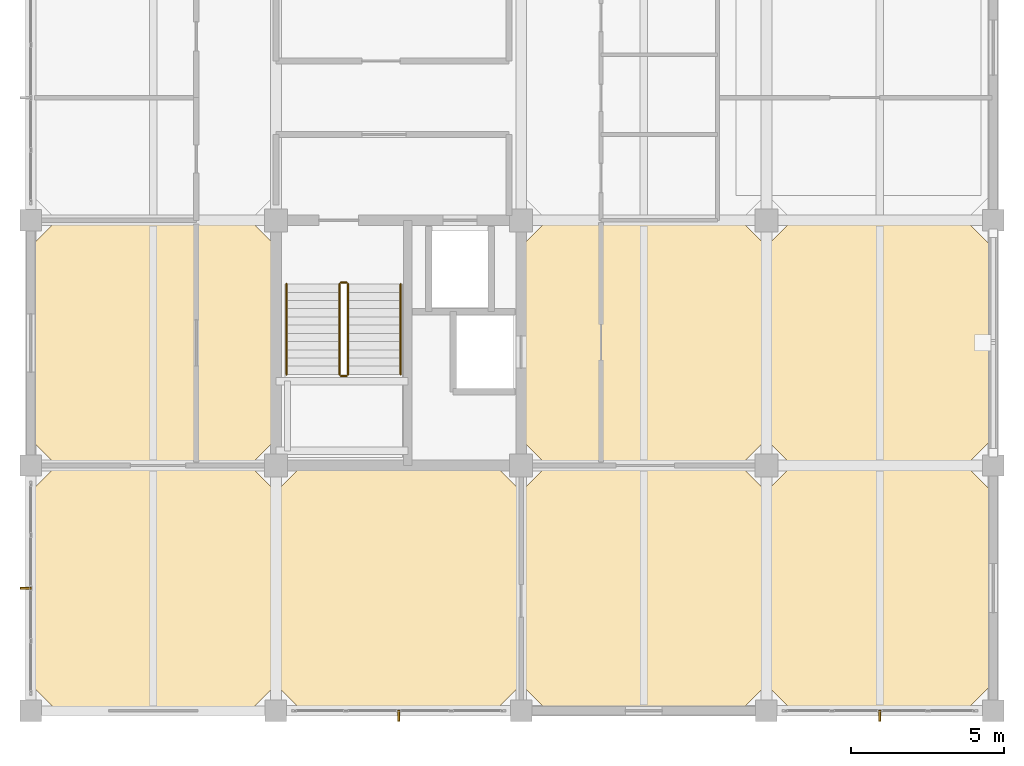
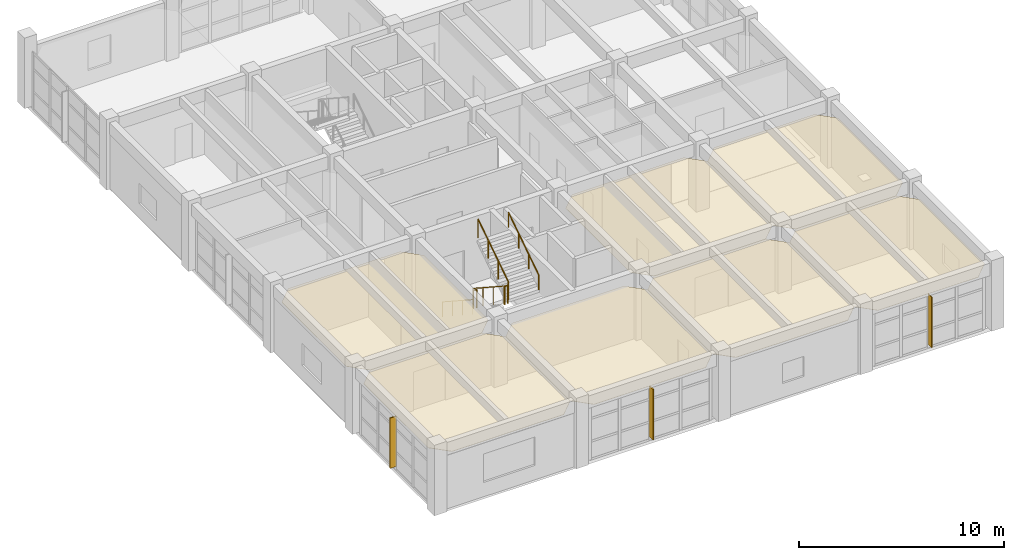
# One storey, part 17 of 19: 7 coverings, 6 railings, 3 shading devices.
"""IFC4 building model written with IfcOpenShell, lengths in metres."""

from ifc_helpers import new_model, si_unit, direction, frame, origin, origin_2d, place, context, subcontext, project, spatial, polyline, rectangle, circle, outline, extrude, material, layer, layer_set, type_object, element, save


model = new_model("IFC4")

# Units and contexts
model_context = context("Model", 3, precision=1e-05, world=origin(), true_north=direction((0.0, 1.0)))
body_context = subcontext(model_context, "Body", "Model", "MODEL_VIEW")
ifc_project = project(units=[si_unit("LENGTHUNIT", "METRE"), si_unit("AREAUNIT", "SQUARE_METRE"), si_unit("VOLUMEUNIT", "CUBIC_METRE"), si_unit("PLANEANGLEUNIT", "RADIAN"), si_unit("MASSUNIT", "GRAM", prefix="KILO")], contexts=[model_context])

# Site, building, storey
site_placement = place(None, origin())
site = spatial("IfcSite", under=ifc_project, at=site_placement, CompositionType="ELEMENT")
building_placement = place(site_placement, origin())
building = spatial("IfcBuilding", under=site, at=building_placement, Name="Canggui Botanical Conservatory", CompositionType="ELEMENT")
storey_placement = place(building_placement, frame((0.0, 0.0, 44.39990234375)))
storey = spatial("IfcBuildingStorey", under=building, at=storey_placement, Name="L11", CompositionType="ELEMENT", Elevation=44.39990234375)

# Coverings
ifc_material_1 = material(Name="Mineral Fibre Acoustic Board")
ifc_layer_1 = layer(ifc_material_1, 0.014892578125, Name="Mineral Fibre Acoustic Board")
ifc_layer_set_1 = layer_set([ifc_layer_1], Name="Mineral Fibre Acoustic Board")
covering_type_1 = type_object("IfcCoveringType", Name="COV-CEIL-15", PredefinedType="CEILING", material=ifc_layer_set_1)
covering_1_placement = place(storey_placement, frame((0.0, 0.0, 3.195068359375)))
element("IfcCovering", 1, at=covering_1_placement, inside=storey, type_object=covering_type_1, Name="Suspended Acoustic Ceiling L11-146-42", PredefinedType="CEILING", context=body_context, shape_type="SweptSolid", body=[
    extrude(outline(polyline([(146.85009765625, 42.0), (153.14990234375, 42.0), (154.0, 42.85009765625), (154.0, 49.14990234375), (153.14990234375, 50.0), (146.85009765625, 50.0), (146.0, 49.14990234375), (146.0, 42.85009765625), (146.85009765625, 42.0)])), origin(), (0.0, 0.0, 1.0), 0.01513671875),
])
covering_2_placement = place(storey_placement, frame((0.0, 0.0, 3.195068359375)))
element("IfcCovering", 2, at=covering_2_placement, inside=storey, type_object=covering_type_1, Name="Suspended Acoustic Ceiling L11-154-34", PredefinedType="CEILING", context=body_context, shape_type="SweptSolid", body=[
    extrude(outline(polyline([(154.85009765625, 34.0), (161.14990234375, 34.0), (162.0, 34.85009765625), (162.0, 41.14990234375), (161.14990234375, 42.0), (154.85009765625, 42.0), (154.0, 41.14990234375), (154.0, 34.85009765625), (154.85009765625, 34.0)])), origin(), (0.0, 0.0, 1.0), 0.01513671875),
])
covering_3_placement = place(storey_placement, frame((0.0, 0.0, 3.195068359375)))
element("IfcCovering", 3, at=covering_3_placement, inside=storey, type_object=covering_type_1, Name="Suspended Acoustic Ceiling L11-162-42", PredefinedType="CEILING", context=body_context, shape_type="SweptSolid", body=[
    extrude(outline(polyline([(162.85009765625, 42.0), (169.14990234375, 42.0), (170.0, 42.85009765625), (170.0, 49.14990234375), (169.14990234375, 50.0), (162.85009765625, 50.0), (162.0, 49.14990234375), (162.0, 42.85009765625), (162.85009765625, 42.0)])), origin(), (0.0, 0.0, 1.0), 0.01513671875),
])
covering_4_placement = place(storey_placement, frame((0.0, 0.0, 3.195068359375)))
element("IfcCovering", 4, at=covering_4_placement, inside=storey, type_object=covering_type_1, Name="Suspended Acoustic Ceiling L11-170-34", PredefinedType="CEILING", context=body_context, shape_type="SweptSolid", body=[
    extrude(outline(polyline([(170.85009765625, 34.0), (176.5, 34.0), (177.35009765625, 34.85009765625), (177.35009765625, 41.14990234375), (176.5, 42.0), (170.85009765625, 42.0), (170.0, 41.14990234375), (170.0, 34.85009765625), (170.85009765625, 34.0)])), origin(), (0.0, 0.0, 1.0), 0.01513671875),
])
ifc_material_2 = material(Name="Perforated Gypsum Acoustic Panel")
ifc_layer_2 = layer(ifc_material_2, 0.02001953125, Name="Perforated Gypsum Acoustic Panel")
ifc_layer_set_2 = layer_set([ifc_layer_2], Name="Perforated Gypsum Acoustic Panel")
covering_type_2 = type_object("IfcCoveringType", Name="COV-CEIL-20", PredefinedType="CEILING", material=ifc_layer_set_2)
covering_5_placement = place(storey_placement, frame((0.0, 0.0, 3.190185546875)))
element("IfcCovering", 5, at=covering_5_placement, inside=storey, type_object=covering_type_2, Name="Suspended Acoustic Ceiling L11-146-34", PredefinedType="CEILING", context=body_context, shape_type="SweptSolid", body=[
    extrude(outline(polyline([(146.85009765625, 34.0), (153.14990234375, 34.0), (154.0, 34.85009765625), (154.0, 41.14990234375), (153.14990234375, 42.0), (146.85009765625, 42.0), (146.0, 41.14990234375), (146.0, 34.85009765625), (146.85009765625, 34.0)])), origin(), (0.0, 0.0, 1.0), 0.02001953125),
])
covering_6_placement = place(storey_placement, frame((0.0, 0.0, 3.190185546875)))
element("IfcCovering", 6, at=covering_6_placement, inside=storey, type_object=covering_type_2, Name="Suspended Acoustic Ceiling L11-162-34", PredefinedType="CEILING", context=body_context, shape_type="SweptSolid", body=[
    extrude(outline(polyline([(162.85009765625, 34.0), (169.14990234375, 34.0), (170.0, 34.85009765625), (170.0, 41.14990234375), (169.14990234375, 42.0), (162.85009765625, 42.0), (162.0, 41.14990234375), (162.0, 34.85009765625), (162.85009765625, 34.0)])), origin(), (0.0, 0.0, 1.0), 0.02001953125),
])
covering_7_placement = place(storey_placement, frame((0.0, 0.0, 3.190185546875)))
element("IfcCovering", 7, at=covering_7_placement, inside=storey, type_object=covering_type_2, Name="Suspended Acoustic Ceiling L11-170-42", PredefinedType="CEILING", context=body_context, shape_type="SweptSolid", body=[
    extrude(outline(polyline([(170.85009765625, 42.0), (176.5, 42.0), (177.35009765625, 42.85009765625), (177.35009765625, 49.14990234375), (176.5, 50.0), (170.85009765625, 50.0), (170.0, 49.14990234375), (170.0, 42.85009765625), (170.85009765625, 42.0)])), origin(), (0.0, 0.0, 1.0), 0.02001953125),
])

# Railings
ifc_material_3 = material(Name="Stainless Steel 304", Category="steel")
railing_type_1 = type_object("IfcRailingType", Name="RAIL-GUARD-1100", PredefinedType="BALUSTRADE", material=ifc_material_3)
railing_1_placement = place(storey_placement, frame((156.070068359375, 47.919921875, 0.175048828125)))
element("IfcRailing", 8, at=railing_1_placement, inside=storey, type_object=railing_type_1, Name="L11 ST-T1 stair guard 1", PredefinedType="BALUSTRADE", context=body_context, shape_type="SweptSolid", body=[
    extrude(circle(Radius=0.02392578125, at=origin_2d()), frame((0.0, 0.0, 1.076171875), z_axis=(0.0, -0.837293178872, 0.54675417933), x_axis=(1.0, 0.0, 0.0)), (0.0, 0.0, 1.0), 3.520751953125),
    extrude(circle(Radius=0.02099609375, at=origin_2d()), origin(), (0.0, 0.0, 1.0), 1.052001953125),
    extrude(circle(Radius=0.02099609375, at=origin_2d()), frame((0.0, -0.982666015625, 0.6416015625)), (0.0, 0.0, 1.0), 1.052001953125),
    extrude(circle(Radius=0.02099609375, at=origin_2d()), frame((0.0, -1.96533203125, 1.283447265625)), (0.0, 0.0, 1.0), 1.052001953125),
    extrude(circle(Radius=0.02099609375, at=origin_2d()), frame((0.0, -2.947998046875, 1.925048828125)), (0.0, 0.0, 1.0), 1.052001953125),
])
railing_2_placement = place(storey_placement, frame((156.1201171875, 44.922119140625, 2.10009765625)))
element("IfcRailing", 9, at=railing_2_placement, inside=storey, type_object=railing_type_1, Name="L11 ST-T1 stair guard 2", PredefinedType="BALUSTRADE", context=body_context, shape_type="SweptSolid", body=[
    extrude(circle(Radius=0.02392578125, at=origin_2d()), frame((0.0, 0.0, 1.076171875), z_axis=(1.0, 0.0, 0.0), x_axis=(0.0, 1.0, 0.0)), (0.0, 0.0, 1.0), 0.179931640625),
    extrude(circle(Radius=0.02099609375, at=origin_2d()), origin(), (0.0, 0.0, 1.0), 1.052001953125),
    extrude(circle(Radius=0.02099609375, at=origin_2d()), frame((0.179931640625, 0.0, 0.0)), (0.0, 0.0, 1.0), 1.052001953125),
])
railing_3_placement = place(storey_placement, frame((156.35009765625, 44.971923828125, 2.275146484375)))
element("IfcRailing", 10, at=railing_3_placement, inside=storey, type_object=railing_type_1, Name="L11 ST-T1 stair guard 3", PredefinedType="BALUSTRADE", context=body_context, shape_type="SweptSolid", body=[
    extrude(circle(Radius=0.02392578125, at=origin_2d()), frame((0.0, 0.0, 1.076171875), z_axis=(0.0, 0.837293178872, 0.54675417933), x_axis=(-1.0, 0.0, 0.0)), (0.0, 0.0, 1.0), 3.520751953125),
    extrude(circle(Radius=0.02099609375, at=origin_2d()), origin(), (0.0, 0.0, 1.0), 1.052001953125),
    extrude(circle(Radius=0.02099609375, at=origin_2d()), frame((0.0, 0.982666015625, 0.6416015625)), (0.0, 0.0, 1.0), 1.052001953125),
    extrude(circle(Radius=0.02099609375, at=origin_2d()), frame((0.0, 1.96533203125, 1.283447265625)), (0.0, 0.0, 1.0), 1.052001953125),
    extrude(circle(Radius=0.02099609375, at=origin_2d()), frame((0.0, 2.947998046875, 1.925048828125)), (0.0, 0.0, 1.0), 1.052001953125),
])
railing_4_placement = place(storey_placement, frame((156.1201171875, 47.969970703125, 0.0)))
element("IfcRailing", 11, at=railing_4_placement, inside=storey, type_object=railing_type_1, Name="L11 ST-T1 stair guard 4", PredefinedType="BALUSTRADE", context=body_context, shape_type="SweptSolid", body=[
    extrude(circle(Radius=0.02392578125, at=origin_2d()), frame((0.0, 0.0, 1.076171875), z_axis=(1.0, 0.0, 0.0), x_axis=(0.0, 1.0, 0.0)), (0.0, 0.0, 1.0), 0.179931640625),
    extrude(circle(Radius=0.02099609375, at=origin_2d()), origin(), (0.0, 0.0, 1.0), 1.052001953125),
    extrude(circle(Radius=0.02099609375, at=origin_2d()), frame((0.179931640625, 0.0, 0.0)), (0.0, 0.0, 1.0), 1.052001953125),
])
railing_type_2 = type_object("IfcRailingType", Name="RAIL-HAND-900", PredefinedType="HANDRAIL", material=ifc_material_3)
railing_5_placement = place(storey_placement, frame((154.35009765625, 47.919921875, 0.175048828125)))
element("IfcRailing", 12, at=railing_5_placement, inside=storey, type_object=railing_type_2, Name="L11 ST-T1 stair handrail 1", PredefinedType="HANDRAIL", context=body_context, shape_type="SweptSolid", body=[
    extrude(circle(Radius=0.02392578125, at=origin_2d()), frame((0.0, 0.0, 0.8759765625), z_axis=(0.0, -0.837293178872, 0.54675417933), x_axis=(1.0, 0.0, 0.0)), (0.0, 0.0, 1.0), 3.520751953125),
    extrude(circle(Radius=0.02099609375, at=origin_2d()), origin(), (0.0, 0.0, 1.0), 0.851806640625),
    extrude(circle(Radius=0.02099609375, at=origin_2d()), frame((0.0, -0.982666015625, 0.6416015625)), (0.0, 0.0, 1.0), 0.851806640625),
    extrude(circle(Radius=0.02099609375, at=origin_2d()), frame((0.0, -1.96533203125, 1.283447265625)), (0.0, 0.0, 1.0), 0.851806640625),
    extrude(circle(Radius=0.02099609375, at=origin_2d()), frame((0.0, -2.947998046875, 1.925048828125)), (0.0, 0.0, 1.0), 0.851806640625),
])
railing_6_placement = place(storey_placement, frame((158.070068359375, 44.971923828125, 2.275146484375)))
element("IfcRailing", 13, at=railing_6_placement, inside=storey, type_object=railing_type_2, Name="L11 ST-T1 stair handrail 2", PredefinedType="HANDRAIL", context=body_context, shape_type="SweptSolid", body=[
    extrude(circle(Radius=0.02392578125, at=origin_2d()), frame((0.0, 0.0, 0.8759765625), z_axis=(0.0, 0.837293178872, 0.54675417933), x_axis=(-1.0, 0.0, 0.0)), (0.0, 0.0, 1.0), 3.520751953125),
    extrude(circle(Radius=0.02099609375, at=origin_2d()), origin(), (0.0, 0.0, 1.0), 0.851806640625),
    extrude(circle(Radius=0.02099609375, at=origin_2d()), frame((0.0, 0.982666015625, 0.6416015625)), (0.0, 0.0, 1.0), 0.851806640625),
    extrude(circle(Radius=0.02099609375, at=origin_2d()), frame((0.0, 1.96533203125, 1.283447265625)), (0.0, 0.0, 1.0), 0.851806640625),
    extrude(circle(Radius=0.02099609375, at=origin_2d()), frame((0.0, 2.947998046875, 1.925048828125)), (0.0, 0.0, 1.0), 0.851806640625),
])

# Shading devices
ifc_material_4 = material(Name="Anodised Aluminium", Category="aluminium")
shading_device_type = type_object("IfcShadingDeviceType", Name="SHD-FIN02", PredefinedType="AWNING", material=ifc_material_4)
for number, where, z_axis, x_axis, name in (
    (14, (173.699951171875, 33.8349609375, 0.2001953125), (0.0, 0.0, 1.0), (-1.0, 0.0, 0.0), "Solar Shading Fin CW-TWR-L11-01"),
    (15, (158.0, 33.8349609375, 0.2001953125), (0.0, 0.0, 1.0), (-1.0, 0.0, 0.0), "Solar Shading Fin CW-TWR-L11-03"),
    (16, (145.8349609375, 38.0, 0.2001953125), (0.0, 0.0, 1.0), (0.0, 1.0, 0.0), "Solar Shading Fin CW-TWR-L11-05"),
):
    element("IfcShadingDevice", number, at=place(storey_placement, frame(where, z_axis=z_axis, x_axis=x_axis)), inside=storey, type_object=shading_device_type, Name=name, PredefinedType="AWNING", context=body_context, shape_type="SweptSolid", body=[
        extrude(rectangle(XDim=0.06005859375, YDim=0.360107421875, at=origin_2d()), origin(), (0.0, 0.0, 1.0), 3.0),
    ])

save(model, "model.ifc")
